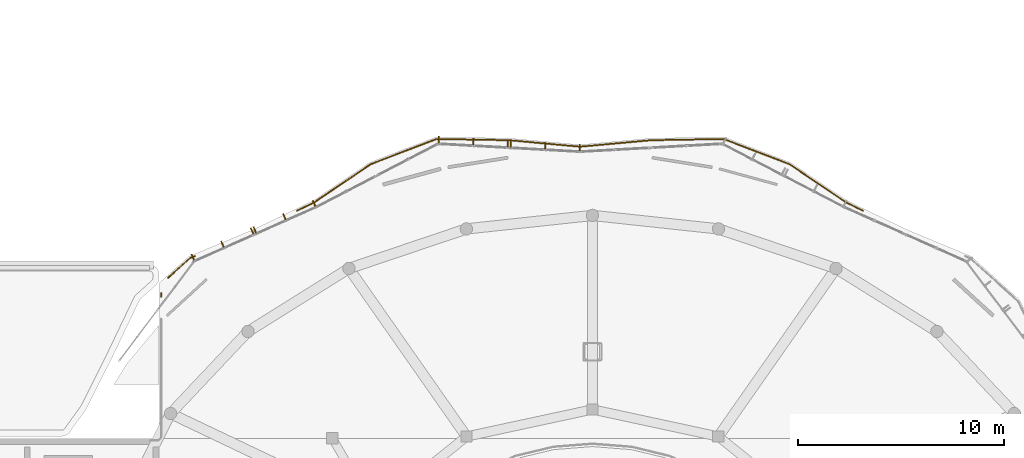
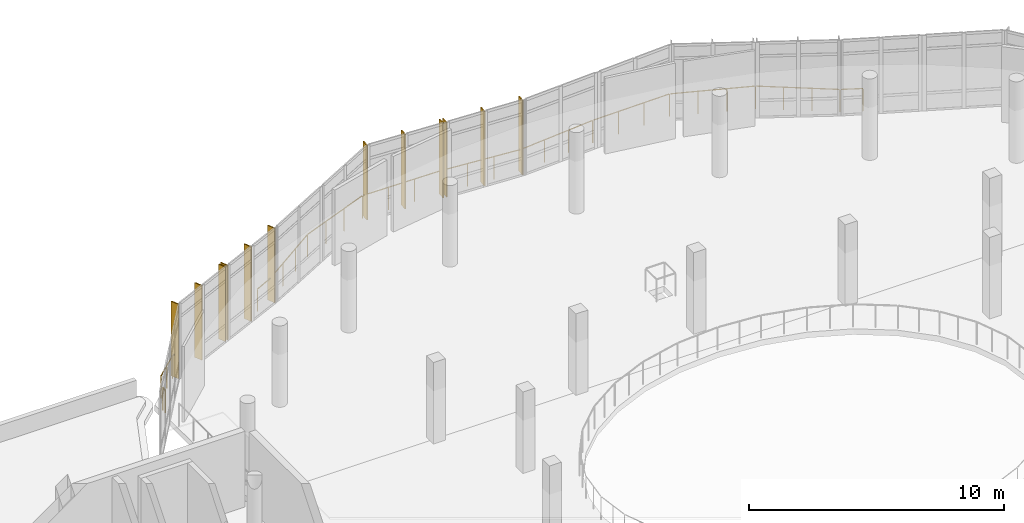
# One storey, part 71 of 74: 12 shading devices, 3 railings.
"""IFC4 building model written with IfcOpenShell, lengths in metres."""

from ifc_helpers import new_model, si_unit, derived_unit, direction, frame, origin, origin_2d, place, context, subcontext, project, spatial, rectangle, circle, extrude, material, type_object, element, save


model = new_model("IFC4")

# Units and contexts
model_context = context("Model", 3, precision=1e-05, world=origin(), true_north=direction((0.0, 1.0)))
body_context = subcontext(model_context, "Body", "Model", "MODEL_VIEW")
ifc_project = project(units=[si_unit("LENGTHUNIT", "METRE"), si_unit("AREAUNIT", "SQUARE_METRE"), si_unit("VOLUMEUNIT", "CUBIC_METRE"), si_unit("PLANEANGLEUNIT", "RADIAN"), si_unit("MASSUNIT", "GRAM", prefix="KILO"), derived_unit("THERMALTRANSMITTANCEUNIT", [(si_unit("POWERUNIT", "WATT"), 1), (si_unit("LENGTHUNIT", "METRE"), -2), (si_unit("THERMODYNAMICTEMPERATUREUNIT", "KELVIN"), -1)])], contexts=[model_context])

# Site, building, storey
site_placement = place(None, origin())
site = spatial("IfcSite", under=ifc_project, at=site_placement, CompositionType="ELEMENT")
building_placement = place(site_placement, origin())
building = spatial("IfcBuilding", under=site, at=building_placement, Name="Elbkamm Science Centre", CompositionType="ELEMENT")
storey_placement = place(building_placement, frame((0.0, 0.0, 14.39990234375)))
storey = spatial("IfcBuildingStorey", under=building, at=storey_placement, Name="L03", CompositionType="ELEMENT", Elevation=14.39990234375)

# Railings
ifc_material_1 = material(Name="Stainless steel EN 1.4401", Category="steel")
railing_type = type_object("IfcRailingType", Name="RAIL-EXT-GUARD-1100", PredefinedType="GUARDRAIL", material=ifc_material_1)
railing_1_placement = place(storey_placement, frame((42.10009765625, 82.452392578125, 0.0)))
element("IfcRailing", 1, at=railing_1_placement, inside=storey, type_object=railing_type, Name="L03 Slab Edge Perimeter Guard 076", PredefinedType="GUARDRAIL", context=body_context, shape_type="SweptSolid", body=[
    extrude(circle(Radius=0.02392578125, at=origin_2d()), frame((0.0, 0.0, 1.078125), z_axis=(0.0, 1.0, 0.0), x_axis=(-1.0, 0.0, 0.0)), (0.0, 0.0, 1.0), 0.192138671875),
    extrude(circle(Radius=0.02001953125, at=origin_2d()), origin(), (0.0, 0.0, 1.0), 1.048095703125),
    extrude(circle(Radius=0.02001953125, at=origin_2d()), frame((0.0, 0.192138671875, 0.0)), (0.0, 0.0, 1.0), 1.048095703125),
])
railing_2_placement = place(storey_placement, frame((42.447021484375, 83.3828125, 0.0)))
element("IfcRailing", 2, at=railing_2_placement, inside=storey, type_object=railing_type, Name="L03 Slab Edge Perimeter Guard 077", PredefinedType="GUARDRAIL", context=body_context, shape_type="SweptSolid", body=[
    extrude(circle(Radius=0.02392578125, at=origin_2d()), frame((0.0, 0.0, 1.078125), z_axis=(0.743550842483, 0.668679403483, 0.0), x_axis=(-0.668679403483, 0.743550842483, 0.0)), (0.0, 0.0, 1.0), 1.388427734375),
    extrude(circle(Radius=0.02392578125, at=origin_2d()), frame((1.082275390625, 0.9599609375, 1.078125), z_axis=(0.92332734525, 0.384013819431, 0.0), x_axis=(-0.384013819431, 0.92332734525, 0.0)), (0.0, 0.0, 1.0), 0.2294921875),
    extrude(circle(Radius=0.02001953125, at=origin_2d()), origin(), (0.0, 0.0, 1.0), 1.048095703125),
    extrude(circle(Radius=0.02001953125, at=origin_2d()), frame((0.52734375, 0.47412109375, 0.0)), (0.0, 0.0, 1.0), 1.048095703125),
    extrude(circle(Radius=0.02001953125, at=origin_2d()), frame((1.0546875, 0.948486328125, 0.0)), (0.0, 0.0, 1.0), 1.048095703125),
    extrude(circle(Radius=0.02001953125, at=origin_2d()), frame((1.294189453125, 1.048095703125, 0.0)), (0.0, 0.0, 1.0), 1.048095703125),
])
railing_3_placement = place(storey_placement, frame((48.691650390625, 86.6298828125, 0.0)))
element("IfcRailing", 3, at=railing_3_placement, inside=storey, type_object=railing_type, Name="L03 Slab Edge Perimeter Guard 078", PredefinedType="GUARDRAIL", context=body_context, shape_type="SweptSolid", body=[
    extrude(circle(Radius=0.02392578125, at=origin_2d()), frame((0.0, 0.0, 1.078125), z_axis=(0.900176464246, 0.435525353128, 0.0), x_axis=(-0.435525353128, 0.900176464246, 0.0)), (0.0, 0.0, 1.0), 0.866943359375),
    extrude(circle(Radius=0.02392578125, at=origin_2d()), frame((0.832275390625, 0.407470703125, 1.078125), z_axis=(0.828993101092, 0.559258829472, 0.0), x_axis=(-0.559258829472, 0.828993101092, 0.0)), (0.0, 0.0, 1.0), 3.270751953125),
    extrude(circle(Radius=0.02392578125, at=origin_2d()), frame((3.5966796875, 2.26416015625, 1.078125), z_axis=(0.933826709926, 0.357725699145, 0.0), x_axis=(-0.357725699145, 0.933826709926, 0.0)), (0.0, 0.0, 1.0), 3.34765625),
    extrude(circle(Radius=0.02392578125, at=origin_2d()), frame((6.78076171875, 3.471923828125, 1.078125), z_axis=(0.999858855757, -0.016800850097, 0.0), x_axis=(0.016800850097, 0.999858855757, 0.0)), (0.0, 0.0, 1.0), 3.45654296875),
    extrude(circle(Radius=0.02392578125, at=origin_2d()), frame((10.296630859375, 3.41064453125, 1.078125), z_axis=(0.995879278616, -0.090688821934, 0.0), x_axis=(0.090688821934, 0.995879278616, 0.0)), (0.0, 0.0, 1.0), 3.39111328125),
    extrude(circle(Radius=0.02392578125, at=origin_2d()), frame((13.733642578125, 3.10302734375, 1.078125), z_axis=(0.995900721317, 0.090453044614, 0.0), x_axis=(-0.090453044614, 0.995900721317, 0.0)), (0.0, 0.0, 1.0), 3.400146484375),
    extrude(circle(Radius=0.02392578125, at=origin_2d()), frame((17.179931640625, 3.413818359375, 1.078125), z_axis=(0.999858855757, 0.016800850097, 0.0), x_axis=(-0.016800850097, 0.999858855757, 0.0)), (0.0, 0.0, 1.0), 3.45654296875),
    extrude(circle(Radius=0.02392578125, at=origin_2d()), frame((20.694091796875, 3.461669921875, 1.078125), z_axis=(0.933826709926, -0.357725699145, 0.0), x_axis=(0.357725699145, 0.933826709926, 0.0)), (0.0, 0.0, 1.0), 3.34765625),
    extrude(circle(Radius=0.02392578125, at=origin_2d()), frame((23.873046875, 2.236572265625, 1.078125), z_axis=(0.828993101092, -0.559258829472, 0.0), x_axis=(0.559258829472, 0.828993101092, 0.0)), (0.0, 0.0, 1.0), 3.270751953125),
    extrude(circle(Radius=0.02392578125, at=origin_2d()), frame((26.636474609375, 0.37744140625, 1.078125), z_axis=(0.900176464246, -0.435525353128, 0.0), x_axis=(0.435525353128, 0.900176464246, 0.0)), (0.0, 0.0, 1.0), 0.866943359375),
    extrude(circle(Radius=0.02001953125, at=origin_2d()), origin(), (0.0, 0.0, 1.0), 1.048095703125),
    extrude(circle(Radius=0.02001953125, at=origin_2d()), frame((0.807373046875, 0.390625, 0.0)), (0.0, 0.0, 1.0), 1.048095703125),
    extrude(circle(Radius=0.02001953125, at=origin_2d()), frame((1.727783203125, 1.011474609375, 0.0)), (0.0, 0.0, 1.0), 1.048095703125),
    extrude(circle(Radius=0.02001953125, at=origin_2d()), frame((2.648193359375, 1.632568359375, 0.0)), (0.0, 0.0, 1.0), 1.048095703125),
    extrude(circle(Radius=0.02001953125, at=origin_2d()), frame((3.568603515625, 2.25341796875, 0.0)), (0.0, 0.0, 1.0), 1.048095703125),
    extrude(circle(Radius=0.02001953125, at=origin_2d()), frame((4.62939453125, 2.65966796875, 0.0)), (0.0, 0.0, 1.0), 1.048095703125),
    extrude(circle(Radius=0.02001953125, at=origin_2d()), frame((5.68994140625, 3.066162109375, 0.0)), (0.0, 0.0, 1.0), 1.048095703125),
    extrude(circle(Radius=0.02001953125, at=origin_2d()), frame((6.750732421875, 3.472412109375, 0.0)), (0.0, 0.0, 1.0), 1.048095703125),
    extrude(circle(Radius=0.02001953125, at=origin_2d()), frame((7.9228515625, 3.45263671875, 0.0)), (0.0, 0.0, 1.0), 1.048095703125),
    extrude(circle(Radius=0.02001953125, at=origin_2d()), frame((9.0947265625, 3.43310546875, 0.0)), (0.0, 0.0, 1.0), 1.048095703125),
    extrude(circle(Radius=0.02001953125, at=origin_2d()), frame((10.266845703125, 3.413330078125, 0.0)), (0.0, 0.0, 1.0), 1.048095703125),
    extrude(circle(Radius=0.02001953125, at=origin_2d()), frame((11.41259765625, 3.30908203125, 0.0)), (0.0, 0.0, 1.0), 1.048095703125),
    extrude(circle(Radius=0.02001953125, at=origin_2d()), frame((12.55810546875, 3.20458984375, 0.0)), (0.0, 0.0, 1.0), 1.048095703125),
    extrude(circle(Radius=0.02001953125, at=origin_2d()), frame((13.703857421875, 3.100341796875, 0.0)), (0.0, 0.0, 1.0), 1.048095703125),
    extrude(circle(Radius=0.02001953125, at=origin_2d()), frame((14.8525390625, 3.20458984375, 0.0)), (0.0, 0.0, 1.0), 1.048095703125),
    extrude(circle(Radius=0.02001953125, at=origin_2d()), frame((16.001220703125, 3.30908203125, 0.0)), (0.0, 0.0, 1.0), 1.048095703125),
    extrude(circle(Radius=0.02001953125, at=origin_2d()), frame((17.14990234375, 3.413330078125, 0.0)), (0.0, 0.0, 1.0), 1.048095703125),
    extrude(circle(Radius=0.02001953125, at=origin_2d()), frame((18.322021484375, 3.43310546875, 0.0)), (0.0, 0.0, 1.0), 1.048095703125),
    extrude(circle(Radius=0.02001953125, at=origin_2d()), frame((19.493896484375, 3.45263671875, 0.0)), (0.0, 0.0, 1.0), 1.048095703125),
    extrude(circle(Radius=0.02001953125, at=origin_2d()), frame((20.666015625, 3.472412109375, 0.0)), (0.0, 0.0, 1.0), 1.048095703125),
    extrude(circle(Radius=0.02001953125, at=origin_2d()), frame((21.726806640625, 3.066162109375, 0.0)), (0.0, 0.0, 1.0), 1.048095703125),
    extrude(circle(Radius=0.02001953125, at=origin_2d()), frame((22.787353515625, 2.65966796875, 0.0)), (0.0, 0.0, 1.0), 1.048095703125),
    extrude(circle(Radius=0.02001953125, at=origin_2d()), frame((23.84814453125, 2.25341796875, 0.0)), (0.0, 0.0, 1.0), 1.048095703125),
    extrude(circle(Radius=0.02001953125, at=origin_2d()), frame((24.7685546875, 1.632568359375, 0.0)), (0.0, 0.0, 1.0), 1.048095703125),
    extrude(circle(Radius=0.02001953125, at=origin_2d()), frame((25.68896484375, 1.011474609375, 0.0)), (0.0, 0.0, 1.0), 1.048095703125),
    extrude(circle(Radius=0.02001953125, at=origin_2d()), frame((26.609375, 0.390625, 0.0)), (0.0, 0.0, 1.0), 1.048095703125),
    extrude(circle(Radius=0.02001953125, at=origin_2d()), frame((27.416748046875, 0.0, 0.0)), (0.0, 0.0, 1.0), 1.048095703125),
])

# Shading devices
ifc_material_2 = material(Name="Terracotta-ochre powder-coated aluminium EN AW-6060", Category="masonry")
shading_device_type = type_object("IfcShadingDeviceType", Name="SHD-LOUVRE-420", PredefinedType="USERDEFINED", material=ifc_material_2)
for number, where, z_axis, x_axis, name in (
    (4, (62.380859375, 89.676513671875, 0.0), (0.0, 0.0, 1.0), (0.05578491019, 0.998442809476, 0.0), "L03 Brise-Soleil Sunshade Fin 0089"),
    (5, (60.709716796875, 89.769775390625, 0.0), (0.0, 0.0, 1.0), (0.05578491019, 0.998442809476, 0.0), "L03 Brise-Soleil Sunshade Fin 0090"),
    (6, (59.038330078125, 89.863037109375, 0.0), (0.0, 0.0, 1.0), (0.05578491019, 0.998442809476, 0.0), "L03 Brise-Soleil Sunshade Fin 0091"),
    (7, (58.898681640625, 89.870849609375, 0.0), (0.0, 0.0, 1.0), (0.05578491019, 0.998442809476, 0.0), "L03 Brise-Soleil Sunshade Fin 0092"),
    (8, (57.227294921875, 89.964111328125, 0.0), (0.0, 0.0, 1.0), (0.05578491019, 0.998442809476, 0.0), "L03 Brise-Soleil Sunshade Fin 0093"),
    (9, (55.55615234375, 90.0576171875, 0.0), (0.0, 0.0, 1.0), (0.05578491019, 0.998442809476, 0.0), "L03 Brise-Soleil Sunshade Fin 0094"),
    (10, (49.51513671875, 86.96826171875, 0.0), (0.0, 0.0, 1.0), (-0.405944054662, 0.91389792892, 0.0), "L03 Brise-Soleil Sunshade Fin 0095"),
    (11, (48.0791015625, 86.33056640625, 0.0), (0.0, 0.0, 1.0), (-0.405944054662, 0.91389792892, 0.0), "L03 Brise-Soleil Sunshade Fin 0096"),
    (12, (46.643310546875, 85.692626953125, 0.0), (0.0, 0.0, 1.0), (-0.405944054662, 0.91389792892, 0.0), "L03 Brise-Soleil Sunshade Fin 0097"),
    (13, (46.51513671875, 85.6357421875, 0.0), (0.0, 0.0, 1.0), (-0.405944054662, 0.91389792892, 0.0), "L03 Brise-Soleil Sunshade Fin 0098"),
    (14, (45.0791015625, 84.997802734375, 0.0), (0.0, 0.0, 1.0), (-0.405944054662, 0.91389792892, 0.0), "L03 Brise-Soleil Sunshade Fin 0099"),
    (15, (43.643310546875, 84.360107421875, 0.0), (0.0, 0.0, 1.0), (-0.405944054662, 0.91389792892, 0.0), "L03 Brise-Soleil Sunshade Fin 0100"),
):
    element("IfcShadingDevice", number, at=place(storey_placement, frame(where, z_axis=z_axis, x_axis=x_axis)), inside=storey, type_object=shading_device_type, Name=name, ObjectType="LOUVRE", PredefinedType="USERDEFINED", context=body_context, shape_type="SweptSolid", body=[
        extrude(rectangle(XDim=0.35009765625, YDim=0.050048828125, at=origin_2d()), origin(), (0.0, 0.0, 1.0), 3.570068359375),
    ])

save(model, "model.ifc")
